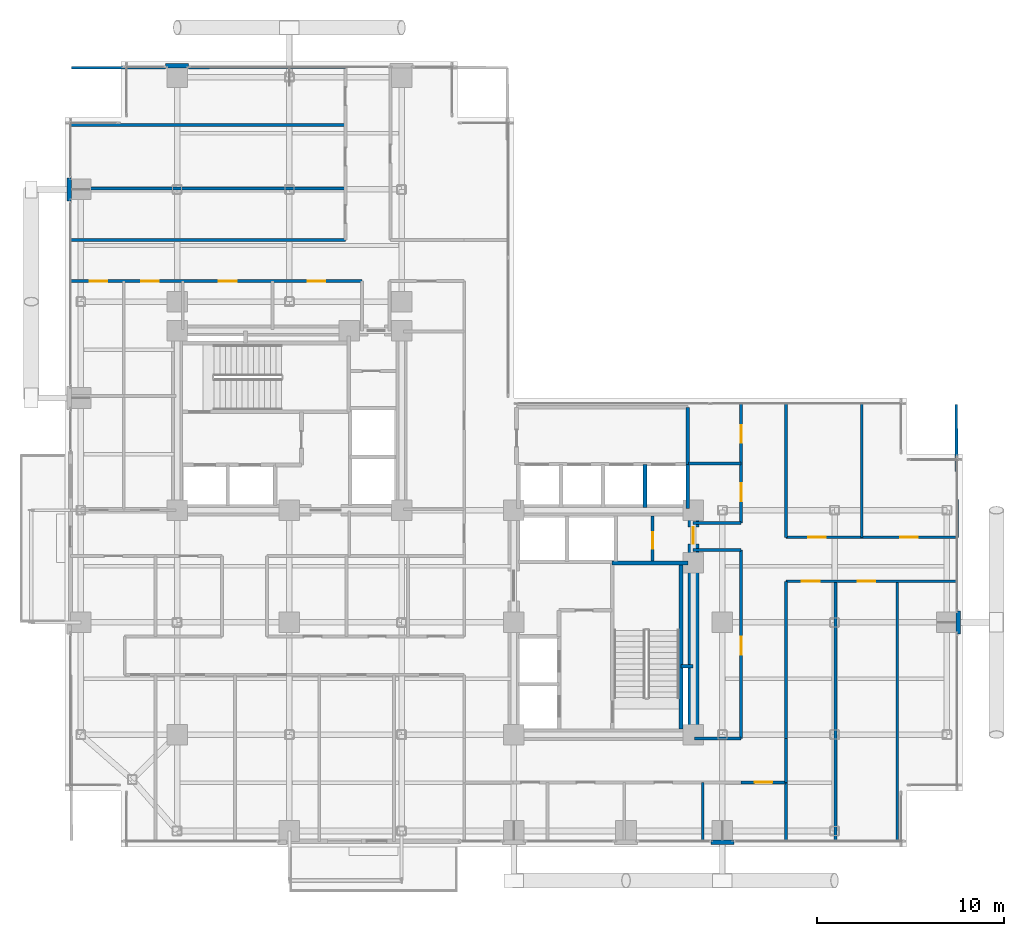
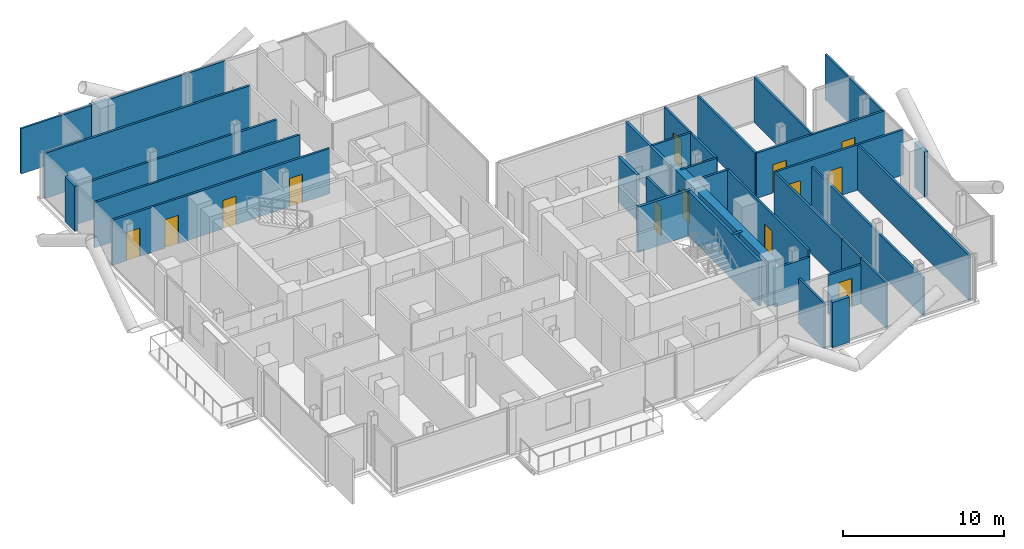
# One storey, part 21 of 24: 36 walls, 14 doors, 14 openings.
"""IFC4 building model written with IfcOpenShell, lengths in metres."""

from ifc_helpers import new_model, si_unit, direction, frame, frame_2d, origin, place, context, subcontext, project, spatial, rectangle, extrude, material, layer, layer_set, type_object, element, fill, save


model = new_model("IFC4")

# Units and contexts
model_context = context("Model", 3, precision=1e-05, world=origin(), true_north=direction((0.0, 1.0)))
body_context = subcontext(model_context, "Body", "Model", "MODEL_VIEW")
ifc_project = project(units=[si_unit("LENGTHUNIT", "METRE"), si_unit("AREAUNIT", "SQUARE_METRE"), si_unit("VOLUMEUNIT", "CUBIC_METRE"), si_unit("PLANEANGLEUNIT", "RADIAN"), si_unit("MASSUNIT", "GRAM", prefix="KILO"), si_unit("THERMODYNAMICTEMPERATUREUNIT", "KELVIN"), si_unit("POWERUNIT", "WATT")], contexts=[model_context])

# Site, building, storey
site_placement = place(None, origin())
site = spatial("IfcSite", under=ifc_project, at=site_placement, CompositionType="ELEMENT")
building_placement = place(site_placement, origin())
building = spatial("IfcBuilding", under=site, at=building_placement, Name="Svarakhadi Broadcast Tower", CompositionType="ELEMENT")
storey_placement = place(building_placement, frame((0.0, 0.0, 160.64990234375)))
storey = spatial("IfcBuildingStorey", under=building, at=storey_placement, Name="L39", CompositionType="ELEMENT", Elevation=160.64990234375)

# Walls
ifc_material_1 = material(Name="Concrete C40/50 (IS 456 M50)", Category="concrete")
ifc_layer_1 = layer(ifc_material_1, 0.239990234375)
ifc_layer_set_1 = layer_set([ifc_layer_1], Name="Concrete C40/50 (IS 456 M50)")
wall_type_1 = type_object("IfcWallType", Name="Wall_Ext_240", PredefinedType="SOLIDWALL", material=ifc_layer_set_1)
for number, where, z_axis, x_axis, name in (
    (1, (0.239990234375, 34.534912109375, 0.0), (0.0, 0.0, 1.0), (0.0, 1.0, 0.0), "L39 Perimeter Bronze Spandrel Closure Wall 03"),
    (2, (5.385009765625, 41.760009765625, 0.0), (0.0, 0.0, 1.0), (1.0, 0.0, 0.0), "L39 Perimeter Bronze Spandrel Closure Wall 04"),
    (3, (47.760009765625, 12.614990234375, 0.0), (0.0, 0.0, 1.0), (0.0, -1.0, 0.0), "L39 Perimeter Bronze Spandrel Closure Wall 06"),
    (4, (35.764892578125, 0.239990234375, 0.0), (0.0, 0.0, 1.0), (-1.0, 0.0, 0.0), "L39 Perimeter Bronze Spandrel Closure Wall 07"),
):
    element("IfcWall", number, at=place(storey_placement, frame(where, z_axis=z_axis, x_axis=x_axis)), inside=storey, type_object=wall_type_1, Name=name, PredefinedType="SOLIDWALL", context=body_context, shape_type="SweptSolid", body=[
        extrude(rectangle(XDim=1.22998046875, YDim=0.239990234375, at=frame_2d((0.614990234375, 0.0))), origin(), (0.0, 0.0, 1.0), 3.425048828125),
    ])
ifc_layer_2 = layer(ifc_material_1, 0.199951171875)
ifc_layer_set_2 = layer_set([ifc_layer_2], Name="Concrete C40/50 (IS 456 M50)")
wall_type_2 = type_object("IfcWallType", Name="Wall_Fire_200", PredefinedType="SOLIDWALL", material=ifc_layer_set_2)
wall_1_placement = place(storey_placement, frame((32.93994140625, 9.659912109375, 0.0), z_axis=(0.0, 0.0, 1.0), x_axis=(1.0, 0.0, 0.0)))
element("IfcWall", 5, at=wall_1_placement, inside=storey, type_object=wall_type_2, Name="L39 HV Busduct Riser Shaft North Wall", PredefinedType="SOLIDWALL", context=body_context, shape_type="SweptSolid", body=[
    extrude(rectangle(XDim=0.64013671875, YDim=0.199951171875, at=frame_2d((0.320068359375, 0.0))), origin(), (0.0, 0.0, 1.0), 3.425048828125),
])

# Wall, opening, door
ifc_material_2 = material(Name="Autoclaved Aerated Concrete Blockwork 150 mm", Category="masonry")
ifc_layer_3 = layer(ifc_material_2, 0.14990234375)
ifc_layer_set_3 = layer_set([ifc_layer_3], Name="Autoclaved Aerated Concrete Blockwork 150 mm")
wall_type_3 = type_object("IfcWallType", Name="Wall_Part_150", PredefinedType="PARTITIONING", material=ifc_layer_set_3)
wall_2_placement = place(storey_placement, frame((31.419921875, 15.280029296875, 0.0), z_axis=(0.0, 0.0, 1.0), x_axis=(0.0, 1.0, 0.0)))
wall_2 = element("IfcWall", 6, at=wall_2_placement, inside=storey, type_object=wall_type_3, Name="L39 East Core Dual Store Wall", PredefinedType="PARTITIONING", context=body_context, shape_type="SweptSolid", body=[
    extrude(rectangle(XDim=2.419921875, YDim=0.14990234375, at=frame_2d((1.2099609375, 0.0))), origin(), (0.0, 0.0, 1.0), 3.425048828125),
])
opening_1_placement = place(wall_2_placement, frame((0.64990234375, 0.0, 0.0)))
opening_1 = element("IfcOpeningElement", 7, at=opening_1_placement, cuts=wall_2, Name="Opening D-03", PredefinedType="OPENING", context=body_context, shape_type="SweptSolid", body=[
    extrude(rectangle(XDim=0.89990234375, YDim=2.14990234375, at=frame_2d((0.449951171875, 1.074951171875))), frame((0.0, 0.0849609375, 0.0), z_axis=(0.0, -1.0, 0.0), x_axis=(1.0, 0.0, 0.0)), (0.0, 0.0, 1.0), 0.169921875),
])
ifc_material_3 = material(Name="Galvanised Powder-Coated Fire-Rated Steel Leaf", Category="steel")
door_type_1 = type_object("IfcDoorType", Name="Door_Fire_D03", OperationType="SINGLE_SWING_LEFT", PredefinedType="DOOR", material=ifc_material_3)
door_1_placement = place(opening_1_placement, origin())
door_1 = element("IfcDoor", 8, at=door_1_placement, inside=storey, type_object=door_type_1, Name="L39 East Core Store B Door", OperationType="SINGLE_SWING_LEFT", OverallHeight=2.14990234375, OverallWidth=0.89990234375, PredefinedType="DOOR", context=body_context, shape_type="SweptSolid", body=[
    extrude(rectangle(XDim=0.89990234375, YDim=2.14990234375, at=frame_2d((0.449951171875, 1.074951171875))), frame((0.0, 0.02490234375, 0.0), z_axis=(0.0, -1.0, 0.0), x_axis=(1.0, 0.0, 0.0)), (0.0, 0.0, 1.0), 0.050048828125),
])
fill(opening_1, door_1)

wall_3_placement = place(storey_placement, frame((36.14990234375, 5.800048828125, 0.0), z_axis=(0.0, 0.0, 1.0), x_axis=(0.0, 1.0, 0.0)))
wall_3 = element("IfcWall", 9, at=wall_3_placement, inside=storey, type_object=wall_type_3, Name="L39 Zone 2/3 Corridor Wall", PredefinedType="PARTITIONING", context=body_context, shape_type="SweptSolid", body=[
    extrude(rectangle(XDim=10.079833984375, YDim=0.14990234375, at=frame_2d((5.0400390625, 0.0))), origin(), (0.0, 0.0, 1.0), 3.425048828125),
])
opening_2_placement = place(wall_3_placement, frame((4.47998046875, 0.0, 0.0)))
opening_2 = element("IfcOpeningElement", 10, at=opening_2_placement, cuts=wall_3, Name="Opening D-06", PredefinedType="OPENING", context=body_context, shape_type="SweptSolid", body=[
    extrude(rectangle(XDim=0.949951171875, YDim=2.14990234375, at=frame_2d((0.47509765625, 1.074951171875))), frame((0.0, 0.0849609375, 0.0), z_axis=(0.0, -1.0, 0.0), x_axis=(1.0, 0.0, 0.0)), (0.0, 0.0, 1.0), 0.169921875),
])
ifc_material_4 = material(Name="Solid-Core Teak Veneer Acoustic Timber Leaf", Category="wood")
door_type_2 = type_object("IfcDoorType", Name="Door_Office_D06", OperationType="SINGLE_SWING_LEFT", PredefinedType="DOOR", material=ifc_material_4)
door_2_placement = place(opening_2_placement, origin())
door_2 = element("IfcDoor", 11, at=door_2_placement, inside=storey, type_object=door_type_2, Name="L39 Media Playout Monitoring Office Door", OperationType="SINGLE_SWING_LEFT", OverallHeight=2.14990234375, OverallWidth=0.949951171875, PredefinedType="DOOR", context=body_context, shape_type="SweptSolid", body=[
    extrude(rectangle(XDim=0.949951171875, YDim=2.14990234375, at=frame_2d((0.47509765625, 1.074951171875))), frame((0.0, 0.02490234375, 0.0), z_axis=(0.0, -1.0, 0.0), x_axis=(1.0, 0.0, 0.0)), (0.0, 0.0, 1.0), 0.050048828125),
])
fill(opening_2, door_2)

# Walls
for number, where, z_axis, x_axis, name in (
    (12, (36.14990234375, 15.8798828125, 0.0), (0.0, 0.0, 1.0), (-1.0, 0.0, 0.0), "L39 Zone 2/3 Corridor Wall"),
    (13, (33.580078125, 17.320068359375, 0.0), (0.0, 0.0, 1.0), (1.0, 0.0, 0.0), "L39 Zone 2/3 Corridor Wall"),
):
    element("IfcWall", number, at=place(storey_placement, frame(where, z_axis=z_axis, x_axis=x_axis)), inside=storey, type_object=wall_type_3, Name=name, PredefinedType="PARTITIONING", context=body_context, shape_type="SweptSolid", body=[
        extrude(rectangle(XDim=2.56982421875, YDim=0.14990234375, at=frame_2d((1.284912109375, 0.0))), origin(), (0.0, 0.0, 1.0), 3.425048828125),
    ])

# Wall, openings, doors
wall_4_placement = place(storey_placement, frame((36.14990234375, 17.320068359375, 0.0), z_axis=(0.0, 0.0, 1.0), x_axis=(0.0, 1.0, 0.0)))
wall_4 = element("IfcWall", 14, at=wall_4_placement, inside=storey, type_object=wall_type_3, Name="L39 Zone 2/3 Corridor Wall", PredefinedType="PARTITIONING", context=body_context, shape_type="SweptSolid", body=[
    extrude(rectangle(XDim=6.3798828125, YDim=0.14990234375, at=frame_2d((3.18994140625, 0.0))), origin(), (0.0, 0.0, 1.0), 3.425048828125),
])
opening_3_placement = place(wall_4_placement, frame((1.159912109375, 0.0, 0.0)))
opening_3 = element("IfcOpeningElement", 15, at=opening_3_placement, cuts=wall_4, Name="Opening D-07", PredefinedType="OPENING", context=body_context, shape_type="SweptSolid", body=[
    extrude(rectangle(XDim=0.949951171875, YDim=2.14990234375, at=frame_2d((0.47509765625, 1.074951171875))), frame((0.0, 0.0849609375, 0.0), z_axis=(0.0, -1.0, 0.0), x_axis=(1.0, 0.0, 0.0)), (0.0, 0.0, 1.0), 0.169921875),
])
opening_4_placement = place(wall_4_placement, frame((4.280029296875, 0.0, 0.0)))
opening_4 = element("IfcOpeningElement", 16, at=opening_4_placement, cuts=wall_4, Name="Opening D-06", PredefinedType="OPENING", context=body_context, shape_type="SweptSolid", body=[
    extrude(rectangle(XDim=0.949951171875, YDim=2.14990234375, at=frame_2d((0.47509765625, 1.074951171875))), frame((0.0, 0.0849609375, 0.0), z_axis=(0.0, -1.0, 0.0), x_axis=(1.0, 0.0, 0.0)), (0.0, 0.0, 1.0), 0.169921875),
])
door_3_placement = place(opening_4_placement, origin())
door_3 = element("IfcDoor", 17, at=door_3_placement, inside=storey, type_object=door_type_2, Name="L39 Broadcast Quality Review Pod Door", OperationType="SINGLE_SWING_LEFT", OverallHeight=2.14990234375, OverallWidth=0.949951171875, PredefinedType="DOOR", context=body_context, shape_type="SweptSolid", body=[
    extrude(rectangle(XDim=0.949951171875, YDim=2.14990234375, at=frame_2d((0.47509765625, 1.074951171875))), frame((0.0, 0.02490234375, 0.0), z_axis=(0.0, -1.0, 0.0), x_axis=(1.0, 0.0, 0.0)), (0.0, 0.0, 1.0), 0.050048828125),
])
fill(opening_4, door_3)
door_type_3 = type_object("IfcDoorType", Name="Door_Office_D07", OperationType="SINGLE_SWING_RIGHT", PredefinedType="DOOR", material=ifc_material_4)
door_4_placement = place(opening_3_placement, origin())
door_4 = element("IfcDoor", 18, at=door_4_placement, inside=storey, type_object=door_type_3, Name="L39 Post-Production Coordination Office Door", OperationType="SINGLE_SWING_RIGHT", OverallHeight=2.14990234375, OverallWidth=0.949951171875, PredefinedType="DOOR", context=body_context, shape_type="SweptSolid", body=[
    extrude(rectangle(XDim=0.949951171875, YDim=2.14990234375, at=frame_2d((0.47509765625, 1.074951171875))), frame((0.0, 0.02490234375, 0.0), z_axis=(0.0, -1.0, 0.0), x_axis=(1.0, 0.0, 0.0)), (0.0, 0.0, 1.0), 0.050048828125),
])
fill(opening_3, door_4)

# Wall
wall_5_placement = place(storey_placement, frame((38.550048828125, 23.699951171875, 0.0), z_axis=(0.0, 0.0, 1.0), x_axis=(0.0, -1.0, 0.0)))
element("IfcWall", 19, at=wall_5_placement, inside=storey, type_object=wall_type_3, Name="L39 Zone 2/3 Corridor Wall", PredefinedType="PARTITIONING", context=body_context, shape_type="SweptSolid", body=[
    extrude(rectangle(XDim=7.14990234375, YDim=0.14990234375, at=frame_2d((3.574951171875, 0.0))), origin(), (0.0, 0.0, 1.0), 3.425048828125),
])

# Wall, openings, doors
wall_6_placement = place(storey_placement, frame((38.550048828125, 16.550048828125, 0.0), z_axis=(0.0, 0.0, 1.0), x_axis=(1.0, 0.0, 0.0)))
wall_6 = element("IfcWall", 20, at=wall_6_placement, inside=storey, type_object=wall_type_3, Name="L39 Zone 2/3 Corridor Wall", PredefinedType="PARTITIONING", context=body_context, shape_type="SweptSolid", body=[
    extrude(rectangle(XDim=9.14990234375, YDim=0.14990234375, at=frame_2d((4.574951171875, 0.0))), origin(), (0.0, 0.0, 1.0), 3.425048828125),
])
opening_5_placement = place(wall_6_placement, frame((1.179931640625, 0.0, 0.0)))
opening_5 = element("IfcOpeningElement", 21, at=opening_5_placement, cuts=wall_6, Name="Opening D-07", PredefinedType="OPENING", context=body_context, shape_type="SweptSolid", body=[
    extrude(rectangle(XDim=0.949951171875, YDim=2.14990234375, at=frame_2d((0.47509765625, 1.074951171875))), frame((0.0, 0.0849609375, 0.0), z_axis=(0.0, -1.0, 0.0), x_axis=(1.0, 0.0, 0.0)), (0.0, 0.0, 1.0), 0.169921875),
])
opening_6_placement = place(wall_6_placement, frame((6.10009765625, 0.0, 0.0)))
opening_6 = element("IfcOpeningElement", 22, at=opening_6_placement, cuts=wall_6, Name="Opening D-06", PredefinedType="OPENING", context=body_context, shape_type="SweptSolid", body=[
    extrude(rectangle(XDim=0.949951171875, YDim=2.14990234375, at=frame_2d((0.47509765625, 1.074951171875))), frame((0.0, 0.0849609375, 0.0), z_axis=(0.0, -1.0, 0.0), x_axis=(1.0, 0.0, 0.0)), (0.0, 0.0, 1.0), 0.169921875),
])
door_5_placement = place(opening_6_placement, origin())
door_5 = element("IfcDoor", 23, at=door_5_placement, inside=storey, type_object=door_type_2, Name="L39 Graphics Workstation Office Door", OperationType="SINGLE_SWING_LEFT", OverallHeight=2.14990234375, OverallWidth=0.949951171875, PredefinedType="DOOR", context=body_context, shape_type="SweptSolid", body=[
    extrude(rectangle(XDim=0.949951171875, YDim=2.14990234375, at=frame_2d((0.47509765625, 1.074951171875))), frame((0.0, 0.02490234375, 0.0), z_axis=(0.0, -1.0, 0.0), x_axis=(1.0, 0.0, 0.0)), (0.0, 0.0, 1.0), 0.050048828125),
])
fill(opening_6, door_5)
door_6_placement = place(opening_5_placement, origin())
door_6 = element("IfcDoor", 24, at=door_6_placement, inside=storey, type_object=door_type_3, Name="L39 Broadcast Graphics Room Door", OperationType="SINGLE_SWING_RIGHT", OverallHeight=2.14990234375, OverallWidth=0.949951171875, PredefinedType="DOOR", context=body_context, shape_type="SweptSolid", body=[
    extrude(rectangle(XDim=0.949951171875, YDim=2.14990234375, at=frame_2d((0.47509765625, 1.074951171875))), frame((0.0, 0.02490234375, 0.0), z_axis=(0.0, -1.0, 0.0), x_axis=(1.0, 0.0, 0.0)), (0.0, 0.0, 1.0), 0.050048828125),
])
fill(opening_5, door_6)

wall_7_placement = place(storey_placement, frame((47.699951171875, 14.199951171875, 0.0), z_axis=(0.0, 0.0, 1.0), x_axis=(-1.0, 0.0, 0.0)))
wall_7 = element("IfcWall", 25, at=wall_7_placement, inside=storey, type_object=wall_type_3, Name="L39 Zone 2/3 Corridor Wall", PredefinedType="PARTITIONING", context=body_context, shape_type="SweptSolid", body=[
    extrude(rectangle(XDim=9.14990234375, YDim=0.14990234375, at=frame_2d((4.574951171875, 0.0))), origin(), (0.0, 0.0, 1.0), 3.425048828125),
])
opening_7_placement = place(wall_7_placement, frame((7.35009765625, 0.0, 0.0)))
opening_7 = element("IfcOpeningElement", 26, at=opening_7_placement, cuts=wall_7, Name="Opening D-07", PredefinedType="OPENING", context=body_context, shape_type="SweptSolid", body=[
    extrude(rectangle(XDim=0.949951171875, YDim=2.14990234375, at=frame_2d((0.47509765625, 1.074951171875))), frame((0.0, 0.0849609375, 0.0), z_axis=(0.0, -1.0, 0.0), x_axis=(1.0, 0.0, 0.0)), (0.0, 0.0, 1.0), 0.169921875),
])
opening_8_placement = place(wall_7_placement, frame((4.375, 0.0, 0.0)))
opening_8 = element("IfcOpeningElement", 27, at=opening_8_placement, cuts=wall_7, Name="Opening D-06", PredefinedType="OPENING", context=body_context, shape_type="SweptSolid", body=[
    extrude(rectangle(XDim=0.949951171875, YDim=2.14990234375, at=frame_2d((0.47509765625, 1.074951171875))), frame((0.0, 0.0849609375, 0.0), z_axis=(0.0, -1.0, 0.0), x_axis=(1.0, 0.0, 0.0)), (0.0, 0.0, 1.0), 0.169921875),
])
door_7_placement = place(opening_8_placement, origin())
door_7 = element("IfcDoor", 28, at=door_7_placement, inside=storey, type_object=door_type_2, Name="L39 Sign-Language Capture Booth Door", OperationType="SINGLE_SWING_LEFT", OverallHeight=2.14990234375, OverallWidth=0.949951171875, PredefinedType="DOOR", context=body_context, shape_type="SweptSolid", body=[
    extrude(rectangle(XDim=0.949951171875, YDim=2.14990234375, at=frame_2d((0.47509765625, 1.074951171875))), frame((0.0, 0.02490234375, 0.0), z_axis=(0.0, -1.0, 0.0), x_axis=(1.0, 0.0, 0.0)), (0.0, 0.0, 1.0), 0.050048828125),
])
fill(opening_8, door_7)
door_8_placement = place(opening_7_placement, origin())
door_8 = element("IfcDoor", 29, at=door_8_placement, inside=storey, type_object=door_type_3, Name="L39 Multilingual Subtitling Office Door", OperationType="SINGLE_SWING_RIGHT", OverallHeight=2.14990234375, OverallWidth=0.949951171875, PredefinedType="DOOR", context=body_context, shape_type="SweptSolid", body=[
    extrude(rectangle(XDim=0.949951171875, YDim=2.14990234375, at=frame_2d((0.47509765625, 1.074951171875))), frame((0.0, 0.02490234375, 0.0), z_axis=(0.0, -1.0, 0.0), x_axis=(1.0, 0.0, 0.0)), (0.0, 0.0, 1.0), 0.050048828125),
])
fill(opening_7, door_8)

# Walls
wall_8_placement = place(storey_placement, frame((38.550048828125, 14.199951171875, 0.0), z_axis=(0.0, 0.0, 1.0), x_axis=(0.0, -1.0, 0.0)))
element("IfcWall", 30, at=wall_8_placement, inside=storey, type_object=wall_type_3, Name="L39 Zone 2/3 Corridor Wall", PredefinedType="PARTITIONING", context=body_context, shape_type="SweptSolid", body=[
    extrude(rectangle(XDim=8.39990234375, YDim=0.14990234375, at=frame_2d((4.199951171875, 0.0))), origin(), (0.0, 0.0, 1.0), 3.425048828125),
])
wall_9_placement = place(storey_placement, frame((38.550048828125, 5.800048828125, 0.0), z_axis=(0.0, 0.0, 1.0), x_axis=(0.0, -1.0, 0.0)))
element("IfcWall", 31, at=wall_9_placement, inside=storey, type_object=wall_type_3, Name="L39 Zone 2/3 Corridor Wall", PredefinedType="PARTITIONING", context=body_context, shape_type="SweptSolid", body=[
    extrude(rectangle(XDim=2.35009765625, YDim=0.14990234375, at=frame_2d((1.175048828125, 0.0))), origin(), (0.0, 0.0, 1.0), 3.425048828125),
])

# Wall, opening, door
wall_10_placement = place(storey_placement, frame((38.550048828125, 3.449951171875, 0.0), z_axis=(0.0, 0.0, 1.0), x_axis=(-1.0, 0.0, 0.0)))
wall_10 = element("IfcWall", 32, at=wall_10_placement, inside=storey, type_object=wall_type_3, Name="L39 Zone 2/3 Corridor Wall", PredefinedType="PARTITIONING", context=body_context, shape_type="SweptSolid", body=[
    extrude(rectangle(XDim=2.400146484375, YDim=0.14990234375, at=frame_2d((1.2001953125, 0.0))), origin(), (0.0, 0.0, 1.0), 2.967041015625),
])
opening_9_placement = place(wall_10_placement, frame((0.72509765625, 0.0, 0.0)))
opening_9 = element("IfcOpeningElement", 33, at=opening_9_placement, cuts=wall_10, Name="Opening D-07", PredefinedType="OPENING", context=body_context, shape_type="SweptSolid", body=[
    extrude(rectangle(XDim=0.949951171875, YDim=2.14990234375, at=frame_2d((0.47509765625, 1.074951171875))), frame((0.0, 0.0849609375, 0.0), z_axis=(0.0, -1.0, 0.0), x_axis=(1.0, 0.0, 0.0)), (0.0, 0.0, 1.0), 0.169921875),
])
door_9_placement = place(opening_9_placement, origin())
door_9 = element("IfcDoor", 34, at=door_9_placement, inside=storey, type_object=door_type_3, Name="L39 Harbour Front Production Office Door", OperationType="SINGLE_SWING_RIGHT", OverallHeight=2.14990234375, OverallWidth=0.949951171875, PredefinedType="DOOR", context=body_context, shape_type="SweptSolid", body=[
    extrude(rectangle(XDim=0.949951171875, YDim=2.14990234375, at=frame_2d((0.47509765625, 1.074951171875))), frame((0.0, 0.02490234375, 0.0), z_axis=(0.0, -1.0, 0.0), x_axis=(1.0, 0.0, 0.0)), (0.0, 0.0, 1.0), 0.050048828125),
])
fill(opening_9, door_9)

# Wall, openings, doors
wall_11_placement = place(storey_placement, frame((15.8798828125, 30.25, 0.0), z_axis=(0.0, 0.0, 1.0), x_axis=(-1.0, 0.0, 0.0)))
wall_11 = element("IfcWall", 35, at=wall_11_placement, inside=storey, type_object=wall_type_3, Name="L39 Zone 2/3 Corridor Wall", PredefinedType="PARTITIONING", context=body_context, shape_type="SweptSolid", body=[
    extrude(rectangle(XDim=15.579833984375, YDim=0.14990234375, at=frame_2d((7.7900390625, 0.0))), origin(), (0.0, 0.0, 1.0), 3.425048828125),
])
opening_10_placement = place(wall_11_placement, frame((13.610107421875, 0.0, 0.0)))
opening_10 = element("IfcOpeningElement", 36, at=opening_10_placement, cuts=wall_11, Name="Opening D-06", PredefinedType="OPENING", context=body_context, shape_type="SweptSolid", body=[
    extrude(rectangle(XDim=0.949951171875, YDim=2.14990234375, at=frame_2d((0.47509765625, 1.074951171875))), frame((0.0, 0.0849609375, 0.0), z_axis=(0.0, -1.0, 0.0), x_axis=(1.0, 0.0, 0.0)), (0.0, 0.0, 1.0), 0.169921875),
])
opening_11_placement = place(wall_11_placement, frame((10.85498046875, 0.0, 0.0)))
opening_11 = element("IfcOpeningElement", 37, at=opening_11_placement, cuts=wall_11, Name="Opening D-07", PredefinedType="OPENING", context=body_context, shape_type="SweptSolid", body=[
    extrude(rectangle(XDim=0.949951171875, YDim=2.14990234375, at=frame_2d((0.47509765625, 1.074951171875))), frame((0.0, 0.0849609375, 0.0), z_axis=(0.0, -1.0, 0.0), x_axis=(1.0, 0.0, 0.0)), (0.0, 0.0, 1.0), 0.169921875),
])
opening_12_placement = place(wall_11_placement, frame((6.705078125, 0.0, 0.0)))
opening_12 = element("IfcOpeningElement", 38, at=opening_12_placement, cuts=wall_11, Name="Opening D-06", PredefinedType="OPENING", context=body_context, shape_type="SweptSolid", body=[
    extrude(rectangle(XDim=0.949951171875, YDim=2.14990234375, at=frame_2d((0.47509765625, 1.074951171875))), frame((0.0, 0.0849609375, 0.0), z_axis=(0.0, -1.0, 0.0), x_axis=(1.0, 0.0, 0.0)), (0.0, 0.0, 1.0), 0.169921875),
])
opening_13_placement = place(wall_11_placement, frame((1.955078125, 0.0, 0.0)))
opening_13 = element("IfcOpeningElement", 39, at=opening_13_placement, cuts=wall_11, Name="Opening D-07", PredefinedType="OPENING", context=body_context, shape_type="SweptSolid", body=[
    extrude(rectangle(XDim=0.949951171875, YDim=2.14990234375, at=frame_2d((0.47509765625, 1.074951171875))), frame((0.0, 0.0849609375, 0.0), z_axis=(0.0, -1.0, 0.0), x_axis=(1.0, 0.0, 0.0)), (0.0, 0.0, 1.0), 0.169921875),
])
door_10_placement = place(opening_10_placement, origin())
door_10 = element("IfcDoor", 40, at=door_10_placement, inside=storey, type_object=door_type_2, Name="L39 Sunset Horizon Screening Room Door", OperationType="SINGLE_SWING_LEFT", OverallHeight=2.14990234375, OverallWidth=0.949951171875, PredefinedType="DOOR", context=body_context, shape_type="SweptSolid", body=[
    extrude(rectangle(XDim=0.949951171875, YDim=2.14990234375, at=frame_2d((0.47509765625, 1.074951171875))), frame((0.0, 0.02490234375, 0.0), z_axis=(0.0, -1.0, 0.0), x_axis=(1.0, 0.0, 0.0)), (0.0, 0.0, 1.0), 0.050048828125),
])
fill(opening_10, door_10)
door_11_placement = place(opening_12_placement, origin())
door_11 = element("IfcDoor", 41, at=door_11_placement, inside=storey, type_object=door_type_2, Name="L39 Acoustic Dubbing Booth Door", OperationType="SINGLE_SWING_LEFT", OverallHeight=2.14990234375, OverallWidth=0.949951171875, PredefinedType="DOOR", context=body_context, shape_type="SweptSolid", body=[
    extrude(rectangle(XDim=0.949951171875, YDim=2.14990234375, at=frame_2d((0.47509765625, 1.074951171875))), frame((0.0, 0.02490234375, 0.0), z_axis=(0.0, -1.0, 0.0), x_axis=(1.0, 0.0, 0.0)), (0.0, 0.0, 1.0), 0.050048828125),
])
fill(opening_12, door_11)
door_12_placement = place(opening_11_placement, origin())
door_12 = element("IfcDoor", 42, at=door_12_placement, inside=storey, type_object=door_type_3, Name="L39 Sunset Horizon Screening Room Door", OperationType="SINGLE_SWING_RIGHT", OverallHeight=2.14990234375, OverallWidth=0.949951171875, PredefinedType="DOOR", context=body_context, shape_type="SweptSolid", body=[
    extrude(rectangle(XDim=0.949951171875, YDim=2.14990234375, at=frame_2d((0.47509765625, 1.074951171875))), frame((0.0, 0.02490234375, 0.0), z_axis=(0.0, -1.0, 0.0), x_axis=(1.0, 0.0, 0.0)), (0.0, 0.0, 1.0), 0.050048828125),
])
fill(opening_11, door_12)
door_13_placement = place(opening_13_placement, origin())
door_13 = element("IfcDoor", 43, at=door_13_placement, inside=storey, type_object=door_type_3, Name="L39 Editorial Color Grading Pod Door", OperationType="SINGLE_SWING_RIGHT", OverallHeight=2.14990234375, OverallWidth=0.949951171875, PredefinedType="DOOR", context=body_context, shape_type="SweptSolid", body=[
    extrude(rectangle(XDim=0.949951171875, YDim=2.14990234375, at=frame_2d((0.47509765625, 1.074951171875))), frame((0.0, 0.02490234375, 0.0), z_axis=(0.0, -1.0, 0.0), x_axis=(1.0, 0.0, 0.0)), (0.0, 0.0, 1.0), 0.050048828125),
])
fill(opening_13, door_13)

# Walls
wall_12_placement = place(storey_placement, frame((0.300048828125, 32.449951171875, 0.0), z_axis=(0.0, 0.0, 1.0), x_axis=(1.0, 0.0, 0.0)))
element("IfcWall", 44, at=wall_12_placement, inside=storey, type_object=wall_type_3, Name="L39 Zone 2/3 Corridor Wall", PredefinedType="PARTITIONING", context=body_context, shape_type="SweptSolid", body=[
    extrude(rectangle(XDim=14.699951171875, YDim=0.14990234375, at=frame_2d((7.35009765625, 0.0))), origin(), (0.0, 0.0, 1.0), 3.425048828125),
])
for number, where, z_axis, x_axis, name in (
    (45, (34.10009765625, 0.300048828125, 0.0), (0.0, 0.0, 1.0), (0.0, 1.0, 0.0), "L39 Artisanal Espresso Bar Wall"),
    (46, (38.550048828125, 0.300048828125, 0.0), (0.0, 0.0, 1.0), (0.0, 1.0, 0.0), "L39 Harbour Front Production Office Wall"),
):
    element("IfcWall", number, at=place(storey_placement, frame(where, z_axis=z_axis, x_axis=x_axis)), inside=storey, type_object=wall_type_3, Name=name, PredefinedType="PARTITIONING", context=body_context, shape_type="SweptSolid", body=[
        extrude(rectangle(XDim=3.14990234375, YDim=0.14990234375, at=frame_2d((1.574951171875, 0.0))), origin(), (0.0, 0.0, 1.0), 3.425048828125),
    ])
wall_13_placement = place(storey_placement, frame((33.64990234375, 5.800048828125, 0.0), z_axis=(0.0, 0.0, 1.0), x_axis=(1.0, 0.0, 0.0)))
element("IfcWall", 47, at=wall_13_placement, inside=storey, type_object=wall_type_3, Name="L39 Media Playout Monitoring Office Wall", PredefinedType="PARTITIONING", context=body_context, shape_type="SweptSolid", body=[
    extrude(rectangle(XDim=2.5, YDim=0.14990234375, at=frame_2d((1.25, 0.0))), origin(), (0.0, 0.0, 1.0), 2.9169921875),
])
wall_14_placement = place(storey_placement, frame((33.35009765625, 20.5, 0.0), z_axis=(0.0, 0.0, 1.0), x_axis=(1.0, 0.0, 0.0)))
element("IfcWall", 48, at=wall_14_placement, inside=storey, type_object=wall_type_3, Name="L39 Post-Production Coordination Office Wall", PredefinedType="PARTITIONING", context=body_context, shape_type="SweptSolid", body=[
    extrude(rectangle(XDim=2.7998046875, YDim=0.14990234375, at=frame_2d((1.39990234375, 0.0))), origin(), (0.0, 0.0, 1.0), 3.425048828125),
])
wall_15_placement = place(storey_placement, frame((41.199951171875, 0.300048828125, 0.0), z_axis=(0.0, 0.0, 1.0), x_axis=(0.0, 1.0, 0.0)))
element("IfcWall", 49, at=wall_15_placement, inside=storey, type_object=wall_type_3, Name="L39 Multilingual Subtitling Office Wall", PredefinedType="PARTITIONING", context=body_context, shape_type="SweptSolid", body=[
    extrude(rectangle(XDim=13.89990234375, YDim=0.14990234375, at=frame_2d((6.949951171875, 0.0))), origin(), (0.0, 0.0, 1.0), 2.9169921875),
])
wall_16_placement = place(storey_placement, frame((44.5, 0.300048828125, 0.0), z_axis=(0.0, 0.0, 1.0), x_axis=(0.0, 1.0, 0.0)))
element("IfcWall", 50, at=wall_16_placement, inside=storey, type_object=wall_type_3, Name="L39 Sign-Language Capture Booth Wall", PredefinedType="PARTITIONING", context=body_context, shape_type="SweptSolid", body=[
    extrude(rectangle(XDim=13.89990234375, YDim=0.14990234375, at=frame_2d((6.949951171875, 0.0))), origin(), (0.0, 0.0, 1.0), 3.425048828125),
])
wall_17_placement = place(storey_placement, frame((42.60009765625, 16.550048828125, 0.0), z_axis=(0.0, 0.0, 1.0), x_axis=(0.0, 1.0, 0.0)))
element("IfcWall", 51, at=wall_17_placement, inside=storey, type_object=wall_type_3, Name="L39 Broadcast Graphics Room Wall", PredefinedType="PARTITIONING", context=body_context, shape_type="SweptSolid", body=[
    extrude(rectangle(XDim=7.14990234375, YDim=0.14990234375, at=frame_2d((3.574951171875, 0.0))), origin(), (0.0, 0.0, 1.0), 3.425048828125),
])
wall_18_placement = place(storey_placement, frame((47.699951171875, 16.550048828125, 0.0), z_axis=(0.0, 0.0, 1.0), x_axis=(-0.007049101019, 0.999975154779, 0.0)))
element("IfcWall", 52, at=wall_18_placement, inside=storey, type_object=wall_type_3, Name="L39 Graphics Workstation Office Wall", PredefinedType="PARTITIONING", context=body_context, shape_type="SweptSolid", body=[
    extrude(rectangle(XDim=7.10009765625, YDim=0.14990234375, at=frame_2d((3.550048828125, 0.0))), origin(), (0.0, 0.0, 1.0), 3.425048828125),
])
wall_19_placement = place(storey_placement, frame((0.300048828125, 35.199951171875, 0.0), z_axis=(0.0, 0.0, 1.0), x_axis=(1.0, 0.0, 0.0)))
element("IfcWall", 53, at=wall_19_placement, inside=storey, type_object=wall_type_3, Name="L39 Fact-Checking Seminar Room Wall", PredefinedType="PARTITIONING", context=body_context, shape_type="SweptSolid", body=[
    extrude(rectangle(XDim=14.699951171875, YDim=0.14990234375, at=frame_2d((7.35009765625, 0.0))), origin(), (0.0, 0.0, 1.0), 2.9169921875),
])
wall_20_placement = place(storey_placement, frame((0.300048828125, 38.60009765625, 0.0), z_axis=(0.0, 0.0, 1.0), x_axis=(1.0, 0.0, 0.0)))
element("IfcWall", 54, at=wall_20_placement, inside=storey, type_object=wall_type_3, Name="L39 Technical Production Office Wall", PredefinedType="PARTITIONING", context=body_context, shape_type="SweptSolid", body=[
    extrude(rectangle(XDim=14.699951171875, YDim=0.14990234375, at=frame_2d((7.35009765625, 0.0))), origin(), (0.0, 0.0, 1.0), 3.425048828125),
])
wall_21_placement = place(storey_placement, frame((0.35009765625, 41.64990234375, 0.0), z_axis=(0.0, 0.0, 1.0), x_axis=(0.999994073761, 0.003442737683, 0.0)))
element("IfcWall", 55, at=wall_21_placement, inside=storey, type_object=wall_type_3, Name="L39 News Verification Pod Wall", PredefinedType="PARTITIONING", context=body_context, shape_type="SweptSolid", body=[
    extrude(rectangle(XDim=5.034912109375, YDim=0.14990234375, at=frame_2d((2.517578125, 0.0))), origin(), (0.0, 0.0, 1.0), 3.425048828125),
])
wall_22_placement = place(storey_placement, frame((6.614990234375, 41.67138671875, 0.0), z_axis=(0.0, 0.0, 1.0), x_axis=(0.999994197557, 0.003406589638, 0.0)))
element("IfcWall", 56, at=wall_22_placement, inside=storey, type_object=wall_type_3, Name="L39 News Verification Pod Wall", PredefinedType="PARTITIONING", context=body_context, shape_type="SweptSolid", body=[
    extrude(rectangle(XDim=8.385009765625, YDim=0.14990234375, at=frame_2d((4.1923828125, 0.0))), origin(), (0.0, 0.0, 1.0), 3.425048828125),
])
ifc_material_5 = material(Name="Concrete C50/60 (IS 456 M60)", Category="concrete")
ifc_layer_4 = layer(ifc_material_5, 0.199951171875)
ifc_layer_set_4 = layer_set([ifc_layer_4], Name="Concrete C50/60 (IS 456 M60)")
wall_type_4 = type_object("IfcWallType", Name="Wall_Shear_200", PredefinedType="SHEAR", material=ifc_layer_set_4)
wall_23_placement = place(storey_placement, frame((32.93994140625, 6.300048828125, 0.0), z_axis=(0.0, 0.0, 1.0), x_axis=(0.0, 1.0, 0.0)))
element("IfcWall", 57, at=wall_23_placement, inside=storey, type_object=wall_type_4, Name="L39 Stair ST-02 East RC Shaft Wall", PredefinedType="SHEAR", context=body_context, shape_type="SweptSolid", body=[
    extrude(rectangle(XDim=8.8798828125, YDim=0.199951171875, at=frame_2d((4.43994140625, 0.0))), origin(), (0.0, 0.0, 1.0), 3.425048828125),
])
wall_24_placement = place(storey_placement, frame((29.260009765625, 15.179931640625, 0.0), z_axis=(0.0, 0.0, 1.0), x_axis=(1.0, 0.0, 0.0)))
element("IfcWall", 58, at=wall_24_placement, inside=storey, type_object=wall_type_4, Name="L39 Stair ST-02 North RC Shaft Wall", PredefinedType="SHEAR", context=body_context, shape_type="SweptSolid", body=[
    extrude(rectangle(XDim=4.0400390625, YDim=0.199951171875, at=frame_2d((2.02001953125, 0.0))), origin(), (0.0, 0.0, 1.0), 3.425048828125),
])
wall_25_placement = place(storey_placement, frame((33.300048828125, 18.10009765625, 0.0), z_axis=(0.0, 0.0, 1.0), x_axis=(0.0, 1.0, 0.0)))
element("IfcWall", 59, at=wall_25_placement, inside=storey, type_object=wall_type_4, Name="L39 Bank B East Shaft Wall", PredefinedType="SHEAR", context=body_context, shape_type="SweptSolid", body=[
    extrude(rectangle(XDim=2.349853515625, YDim=0.199951171875, at=frame_2d((1.1748046875, 0.0))), origin(), (0.0, 0.0, 1.0), 3.425048828125),
])
wall_26_placement = place(storey_placement, frame((31.02001953125, 18.14990234375, 0.0), z_axis=(0.0, 0.0, 1.0), x_axis=(0.0, 1.0, 0.0)))
element("IfcWall", 60, at=wall_26_placement, inside=storey, type_object=wall_type_4, Name="L39 Bank B Divider", PredefinedType="SHEAR", context=body_context, shape_type="SweptSolid", body=[
    extrude(rectangle(XDim=2.300048828125, YDim=0.199951171875, at=frame_2d((1.14990234375, 0.0))), origin(), (0.0, 0.0, 1.0), 3.425048828125),
])
wall_27_placement = place(storey_placement, frame((33.300048828125, 20.449951171875, 0.0), z_axis=(0.0, 0.0, 1.0), x_axis=(0.0, 1.0, 0.0)))
element("IfcWall", 61, at=wall_27_placement, inside=storey, type_object=wall_type_4, Name="L39 Bank B Lift Hall East Wall", PredefinedType="SHEAR", context=body_context, shape_type="SweptSolid", body=[
    extrude(rectangle(XDim=3.050048828125, YDim=0.199951171875, at=frame_2d((1.52490234375, 0.0))), origin(), (0.0, 0.0, 1.0), 3.425048828125),
])

# Wall, opening, door
ifc_material_6 = material(Name="Concrete C60/75 (IS 456 M70)", Category="concrete")
ifc_layer_5 = layer(ifc_material_6, 0.60009765625)
ifc_layer_set_5 = layer_set([ifc_layer_5], Name="Concrete C60/75 (IS 456 M70)")
wall_type_5 = type_object("IfcWallType", Name="Wall_Shear_600", PredefinedType="SHEAR", material=ifc_layer_set_5)
wall_28_placement = place(storey_placement, frame((33.60009765625, 6.0, 0.0), z_axis=(0.0, 0.0, 1.0), x_axis=(0.0, 1.0, 0.0)))
wall_28 = element("IfcWall", 62, at=wall_28_placement, inside=storey, type_object=wall_type_5, Name="L39 East Core East Shear Wall", PredefinedType="SHEAR", context=body_context, shape_type="SweptSolid", body=[
    extrude(rectangle(XDim=12.0, YDim=0.60009765625, at=frame_2d((6.0, 0.0))), origin(), (0.0, 0.0, 1.0), 3.425048828125),
])
opening_14_placement = place(wall_28_placement, frame((10.199951171875, 0.0, 0.0)))
opening_14 = element("IfcOpeningElement", 63, at=opening_14_placement, cuts=wall_28, Name="Opening D-03", PredefinedType="OPENING", context=body_context, shape_type="SweptSolid", body=[
    extrude(rectangle(XDim=0.89990234375, YDim=2.14990234375, at=frame_2d((0.449951171875, 1.074951171875))), frame((0.0, 0.31005859375, 0.0), z_axis=(0.0, -1.0, 0.0), x_axis=(1.0, 0.0, 0.0)), (0.0, 0.0, 1.0), 0.6201171875),
])
door_14_placement = place(opening_14_placement, origin())
door_14 = element("IfcDoor", 64, at=door_14_placement, inside=storey, type_object=door_type_1, Name="L39 East Core Store A Door", OperationType="SINGLE_SWING_LEFT", OverallHeight=2.14990234375, OverallWidth=0.89990234375, PredefinedType="DOOR", context=body_context, shape_type="SweptSolid", body=[
    extrude(rectangle(XDim=0.89990234375, YDim=2.14990234375, at=frame_2d((0.449951171875, 1.074951171875))), frame((0.0, 0.02490234375, 0.0), z_axis=(0.0, -1.0, 0.0), x_axis=(1.0, 0.0, 0.0)), (0.0, 0.0, 1.0), 0.050048828125),
])
fill(opening_14, door_14)

save(model, "model.ifc")
